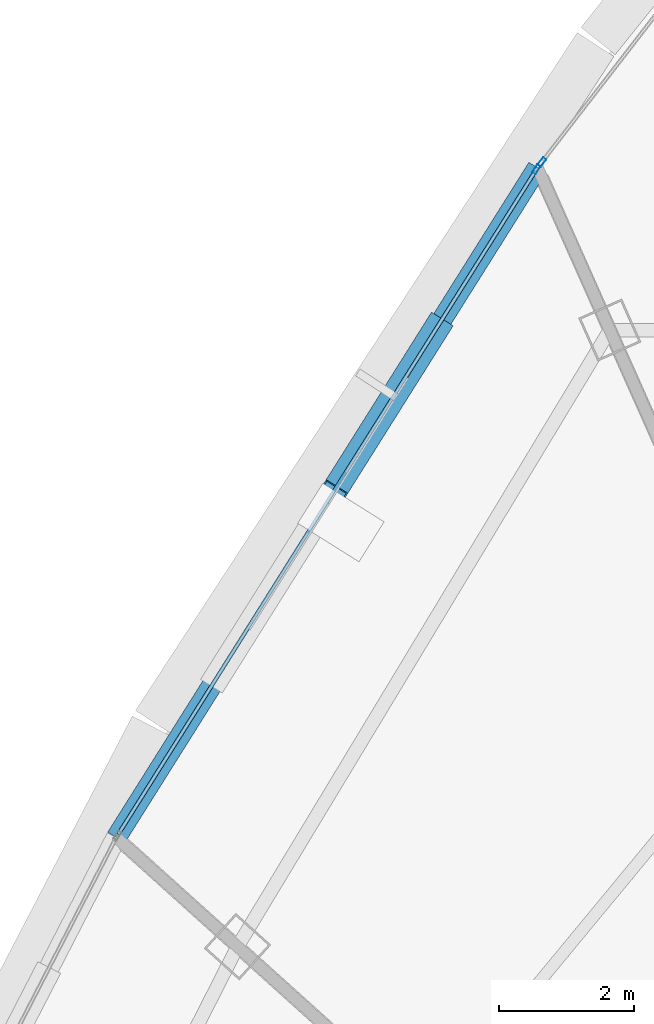
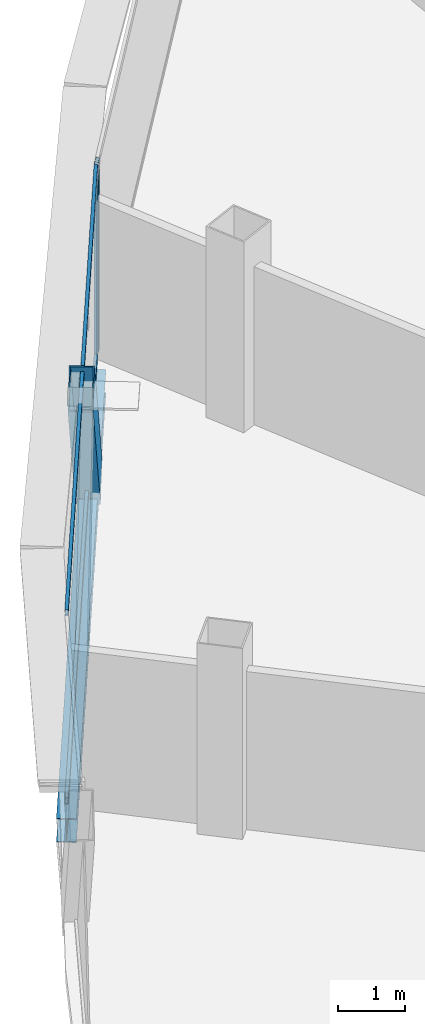
# One storey, part 17 of 30: 5 members, 1 beam, 2 elements without a shape of their own.
"""IFC4 building model written with IfcOpenShell, lengths in metres."""

from ifc_helpers import new_model, si_unit, direction, frame, origin, origin_2d, place, context, subcontext, project, spatial, hollow_rectangle, i_section, extrude, source, transform, mapped, material, layer, layer_set, material_profile, profile_set, type_object, element, aggregate, save


model = new_model("IFC4")

# Units and contexts
model_context = context("Model", 3, precision=1e-05, world=origin(), true_north=direction((0.0, 1.0)))
body_context = subcontext(model_context, "Body", "Model", "MODEL_VIEW")
ifc_project = project(units=[si_unit("LENGTHUNIT", "METRE"), si_unit("AREAUNIT", "SQUARE_METRE"), si_unit("VOLUMEUNIT", "CUBIC_METRE"), si_unit("PLANEANGLEUNIT", "RADIAN"), si_unit("MASSUNIT", "GRAM", prefix="KILO"), si_unit("THERMODYNAMICTEMPERATUREUNIT", "KELVIN"), si_unit("POWERUNIT", "WATT")], contexts=[model_context])

# Site, building, storey
site_placement = place(None, origin())
site = spatial("IfcSite", under=ifc_project, at=site_placement, CompositionType="ELEMENT")
building_placement = place(site_placement, origin())
building = spatial("IfcBuilding", under=site, at=building_placement, Name="Yunzhuo Pagoda Commons", CompositionType="ELEMENT")
storey_placement = place(building_placement, frame((0.0, 0.0, 355.510009765625)))
storey = spatial("IfcBuildingStorey", under=building, at=storey_placement, Name="L89", CompositionType="ELEMENT", Elevation=355.510009765625)

# Beam
ifc_material_1 = material(Name="Structural steel Q355B", Category="steel")
ifc_material_profile_1 = material_profile(ifc_material_1, i_section(OverallWidth=0.300048828125, OverallDepth=0.43994140625, WebThickness=0.010986328125, FlangeThickness=0.01806640625, at=origin_2d()), Name="Structural steel Q355B")
ifc_profile_set_1 = profile_set([ifc_material_profile_1], Name="Structural steel Q355B")
beam_type = type_object("IfcBeamType", Name="B-SP2 Beam HM 440x300x11x18", PredefinedType="BEAM", material=ifc_profile_set_1)
shared_shape_1 = source(origin(), body_context, "Body", "SweptSolid", [
    extrude(i_section(OverallWidth=0.300048828125, OverallDepth=0.43994140625, WebThickness=0.010986328125, FlangeThickness=0.01806640625, at=origin_2d()), origin(), (0.0, 0.0, 1.0), 11.74462890625),
])
beam_placement = place(storey_placement, frame((36.427734375, 59.69140625, -0.47998046875), z_axis=(-0.532345654655, -0.846527084014, 0.0), x_axis=(0.846527084014, -0.532345654655, 0.0)))
element("IfcBeam", 1, at=beam_placement, inside=storey, type_object=beam_type, Name="L89 facade edge spandrel beam F3.1", PredefinedType="BEAM", context=body_context, shape_type="MappedRepresentation", body=[
    mapped(shared_shape_1, transform((0.0, 0.0, 0.0), scale=1.0)),
])

# Member
ifc_material_profile_2 = material_profile(ifc_material_1, hollow_rectangle(XDim=0.3798828125, YDim=0.719970703125, WallThickness=0.02001953125, at=origin_2d()), Name="Structural steel Q355B")
ifc_profile_set_2 = profile_set([ifc_material_profile_2], Name="Structural steel Q355B")
member_type_1 = type_object("IfcMemberType", Name="M-DL3 Brace BOX 720x380x20", PredefinedType="BRACE", material=ifc_profile_set_2)
shared_shape_2 = source(origin(), body_context, "Body", "SweptSolid", [
    extrude(hollow_rectangle(XDim=0.3798828125, YDim=0.719970703125, WallThickness=0.02001953125, at=origin_2d()), origin(), (0.0, 0.0, 1.0), 4.7626953125),
])
member_1_placement = place(storey_placement, frame((34.86474609375, 57.2060546875, -0.260009765625), z_axis=(-0.32821625182, -0.52187563014, 0.787349934087), x_axis=(0.846504872125, -0.532380973992, 0.0)))
element("IfcMember", 2, at=member_1_placement, inside=storey, type_object=member_type_1, Name="L89 facade diamond brace F3.1L", PredefinedType="BRACE", context=body_context, shape_type="MappedRepresentation", body=[
    mapped(shared_shape_2, transform((0.0, 0.0, 0.0), scale=1.0)),
])

# Curtain wall, member
ifc_material_2 = material(Name="Anodized aluminium 6063-T6", Category="aluminium")
ifc_layer = layer(ifc_material_2, 0.139892578125)
ifc_layer_set = layer_set([ifc_layer], Name="Anodized aluminium 6063-T6")
curtain_wall_type = type_object("IfcCurtainWallType", Name="CW-HI High-Zone Ribbon Curtain Wall", PredefinedType="NOTDEFINED", material=ifc_layer_set)
curtain_wall_1_placement = place(storey_placement, origin())
curtain_wall_1 = element("IfcCurtainWall", 3, at=curtain_wall_1_placement, inside=storey, type_object=curtain_wall_type, Name="L89 curtain wall CW-L89-F3B2", PredefinedType="NOTDEFINED")
ifc_material_profile_3 = material_profile(ifc_material_2, hollow_rectangle(XDim=0.06005859375, YDim=0.139892578125, WallThickness=0.00341796875, at=origin_2d()), Name="Anodized aluminium 6063-T6")
ifc_profile_set_3 = profile_set([ifc_material_profile_3], Name="Anodized aluminium 6063-T6")
member_type_2 = type_object("IfcMemberType", Name="CW-HI-M Mullion RHS 140x60x3.5", PredefinedType="MULLION", material=ifc_profile_set_3)
shared_shape_3 = source(origin(), body_context, "Body", "SweptSolid", [
    extrude(hollow_rectangle(XDim=0.06005859375, YDim=0.139892578125, WallThickness=0.00341796875, at=origin_2d()), origin(), (0.0, 0.0, 1.0), 3.489990234375),
])
member_2_placement = place(storey_placement, frame((36.411865234375, 59.666015625, 0.0), z_axis=(0.0, 0.0, 1.0), x_axis=(0.846524621891, -0.532349569861, 0.0)))
member_2 = element("IfcMember", 4, at=member_2_placement, type_object=member_type_2, Name="CW mullion 1", PredefinedType="MULLION", context=body_context, shape_type="MappedRepresentation", body=[
    mapped(shared_shape_3, transform((0.0, 0.0, 0.0), scale=1.0)),
])

curtain_wall_2_placement = place(storey_placement, origin())
curtain_wall_2 = element("IfcCurtainWall", 5, at=curtain_wall_2_placement, inside=storey, type_object=curtain_wall_type, Name="L89 curtain wall CW-L89-F3B1", PredefinedType="NOTDEFINED")
member_3_placement = place(storey_placement, frame((36.491943359375, 59.7744140625, 0.0), z_axis=(0.0, 0.0, 1.0), x_axis=(0.790927145065, -0.611910329378, 0.0)))
member_3 = element("IfcMember", 6, at=member_3_placement, type_object=member_type_2, Name="CW mullion 2", PredefinedType="MULLION", context=body_context, shape_type="MappedRepresentation", body=[
    mapped(shared_shape_3, transform((0.0, 0.0, 0.0), scale=1.0)),
])
aggregate(curtain_wall_2, [member_3])

# Member
ifc_material_profile_4 = material_profile(ifc_material_2, hollow_rectangle(XDim=0.054931640625, YDim=0.1201171875, WallThickness=0.00341796875, at=origin_2d()), Name="Anodized aluminium 6063-T6")
ifc_profile_set_4 = profile_set([ifc_material_profile_4], Name="Anodized aluminium 6063-T6")
member_type_3 = type_object("IfcMemberType", Name="CW-HI-T Transom RHS 120x55x3.5", PredefinedType="USERDEFINED", material=ifc_profile_set_4)
shared_shape_4 = source(origin(), body_context, "Body", "SweptSolid", [
    extrude(hollow_rectangle(XDim=0.054931640625, YDim=0.1201171875, WallThickness=0.00341796875, at=origin_2d()), origin(), (0.0, 0.0, 1.0), 11.62451171875),
])
member_4_placement = place(storey_placement, frame((36.395751953125, 59.640625, 0.027587890625), z_axis=(-0.532324660468, -0.846540286021, 0.0), x_axis=(0.846540286021, -0.532324660468, 0.0)))
member_4 = element("IfcMember", 7, at=member_4_placement, type_object=member_type_3, Name="CW transom 1.1", ObjectType="TRANSOM", PredefinedType="USERDEFINED", context=body_context, shape_type="MappedRepresentation", body=[
    mapped(shared_shape_4, transform((0.0, 0.0, 0.0), scale=1.0)),
])

member_5_placement = place(storey_placement, frame((36.395751953125, 59.640625, 3.46240234375), z_axis=(-0.532324660468, -0.846540286021, 0.0), x_axis=(0.846540286021, -0.532324660468, 0.0)))
member_5 = element("IfcMember", 8, at=member_5_placement, type_object=member_type_3, Name="CW transom 1.2", ObjectType="TRANSOM", PredefinedType="USERDEFINED", context=body_context, shape_type="MappedRepresentation", body=[
    mapped(shared_shape_4, transform((0.0, 0.0, 0.0), scale=1.0)),
])

aggregate(curtain_wall_1, [member_2, member_4, member_5])

save(model, "model.ifc")
